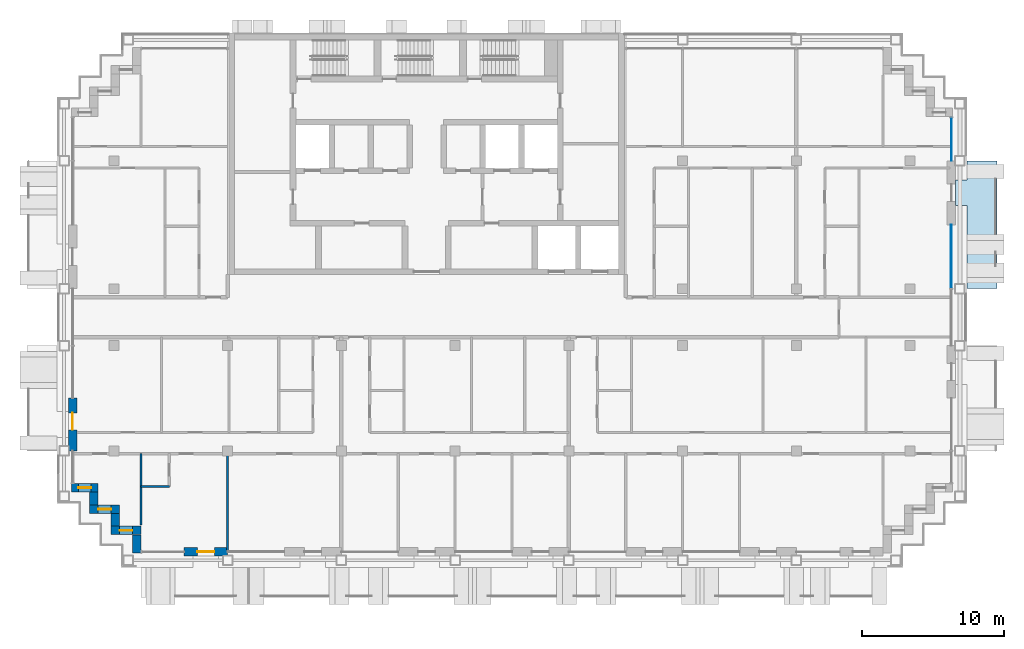
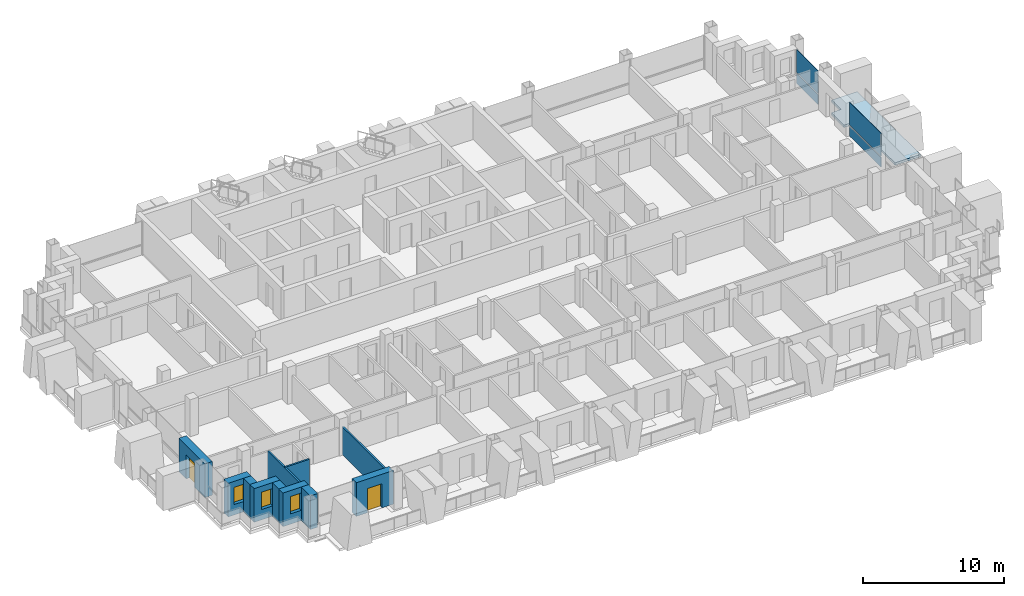
# One storey, part 7 of 16: 11 walls, 4 plates, 3 windows, 2 doors, 1 slab, 5 openings, 2 elements without a shape of their own.
"""IFC4 building model written with IfcOpenShell, lengths in metres."""

from ifc_helpers import new_model, si_unit, direction, frame, frame_2d, origin, origin_2d, place, context, subcontext, project, spatial, polyline, rectangle, outline, extrude, material, layer, layer_set, type_object, element, fill, aggregate, save


model = new_model("IFC4")

# Units and contexts
model_context = context("Model", 3, precision=1e-05, world=origin(), true_north=direction((0.0, 1.0)))
body_context = subcontext(model_context, "Body", "Model", "MODEL_VIEW")
ifc_project = project(units=[si_unit("LENGTHUNIT", "METRE"), si_unit("AREAUNIT", "SQUARE_METRE"), si_unit("VOLUMEUNIT", "CUBIC_METRE"), si_unit("PLANEANGLEUNIT", "RADIAN"), si_unit("MASSUNIT", "GRAM", prefix="KILO")], contexts=[model_context])

# Site, building, storey
site_placement = place(None, origin())
site = spatial("IfcSite", under=ifc_project, at=site_placement, CompositionType="ELEMENT")
building_placement = place(site_placement, origin())
building = spatial("IfcBuilding", under=site, at=building_placement, Name="Vidyagriha Tower", CompositionType="ELEMENT")
storey_placement = place(building_placement, frame((0.0, 0.0, 168.5)))
storey = spatial("IfcBuildingStorey", under=building, at=storey_placement, Name="L43", CompositionType="ELEMENT", Elevation=168.5)

# Curtain wall, plate
ifc_material_1 = material(Name="Aluminium and glass curtain wall", Category="aluminium")
curtain_wall_type = type_object("IfcCurtainWallType", Name="Dwelling skin unitised curtain wall", PredefinedType="USERDEFINED", material=ifc_material_1)
curtain_wall_1_placement = place(storey_placement, origin())
curtain_wall_1 = element("IfcCurtainWall", 1, at=curtain_wall_1_placement, inside=storey, type_object=curtain_wall_type, Name="CW1 dwelling skin", ObjectType="UNITISED", PredefinedType="USERDEFINED")
ifc_material_2 = material(Name="Glass dark ceramic-fritted spandrel", Category="glass")
ifc_layer_1 = layer(ifc_material_2, 0.0400390625)
ifc_layer_set_1 = layer_set([ifc_layer_1], Name="Glass dark ceramic-fritted spandrel")
plate_type_1 = type_object("IfcPlateType", Name="Ceramic-fritted spandrel panel", PredefinedType="CURTAIN_PANEL", material=ifc_layer_set_1)
plate_1_placement = place(storey_placement, frame((36.89990234375, 12.514892578125, 0.0), z_axis=(0.0, 0.0, 1.0), x_axis=(0.0, 1.0, 0.0)))
plate_1 = element("IfcPlate", 2, at=plate_1_placement, type_object=plate_type_1, Name="CW1 panel 1.1", PredefinedType="CURTAIN_PANEL", context=body_context, shape_type="SweptSolid", body=[
    extrude(rectangle(XDim=3.030029296875, YDim=0.0400390625, at=origin_2d()), origin(), (0.0, 0.0, 1.0), 0.85009765625),
])

curtain_wall_2_placement = place(storey_placement, origin())
curtain_wall_2 = element("IfcCurtainWall", 3, at=curtain_wall_2_placement, inside=storey, type_object=curtain_wall_type, Name="CW1 dwelling skin", ObjectType="UNITISED", PredefinedType="USERDEFINED")
ifc_material_3 = material(Name="Glass dark ceramic-fritted", Category="glass")
ifc_layer_2 = layer(ifc_material_3, 0.028076171875)
ifc_layer_set_2 = layer_set([ifc_layer_2], Name="Glass dark ceramic-fritted")
plate_type_2 = type_object("IfcPlateType", Name="Dark ceramic-fritted vision glass panel", PredefinedType="CURTAIN_PANEL", material=ifc_layer_set_2)
plate_2_placement = place(storey_placement, frame((36.89990234375, 4.267578125, 0.9501953125), z_axis=(0.0, 0.0, 1.0), x_axis=(0.0, 1.0, 0.0)))
plate_2 = element("IfcPlate", 4, at=plate_2_placement, type_object=plate_type_2, Name="CW1 panel 2.2", PredefinedType="CURTAIN_PANEL", context=body_context, shape_type="SweptSolid", body=[
    extrude(rectangle(XDim=4.465087890625, YDim=0.028076171875, at=origin_2d()), origin(), (0.0, 0.0, 1.0), 1.969970703125),
])

# Plate
plate_3_placement = place(storey_placement, frame((36.89990234375, 12.514892578125, 0.9501953125), z_axis=(0.0, 0.0, 1.0), x_axis=(0.0, 1.0, 0.0)))
plate_3 = element("IfcPlate", 5, at=plate_3_placement, type_object=plate_type_2, Name="CW1 panel 1.2", PredefinedType="CURTAIN_PANEL", context=body_context, shape_type="SweptSolid", body=[
    extrude(rectangle(XDim=3.030029296875, YDim=0.028076171875, at=origin_2d()), origin(), (0.0, 0.0, 1.0), 1.969970703125),
])

aggregate(curtain_wall_1, [plate_1, plate_3])

ifc_material_4 = material(Name="Aluminium black anodised", Category="aluminium")
ifc_layer_3 = layer(ifc_material_4, 0.06005859375)
ifc_layer_set_3 = layer_set([ifc_layer_3], Name="Aluminium black anodised")
plate_type_3 = type_object("IfcPlateType", Name="Operable black-metal vent panel", PredefinedType="CURTAIN_PANEL", material=ifc_layer_set_3)
plate_4_placement = place(storey_placement, frame((36.89990234375, 4.267578125, 0.0), z_axis=(0.0, 0.0, 1.0), x_axis=(0.0, 1.0, 0.0)))
plate_4 = element("IfcPlate", 6, at=plate_4_placement, type_object=plate_type_3, Name="CW1 panel 2.1", PredefinedType="CURTAIN_PANEL", context=body_context, shape_type="SweptSolid", body=[
    extrude(rectangle(XDim=4.465087890625, YDim=0.06005859375, at=origin_2d()), origin(), (0.0, 0.0, 1.0), 0.85009765625),
])

aggregate(curtain_wall_2, [plate_4, plate_2])

# Slab
ifc_material_5 = material(Name="Precast concrete C40/50", Category="concrete")
ifc_layer_4 = layer(ifc_material_5, 0.199951171875)
ifc_layer_set_4 = layer_set([ifc_layer_4], Name="Precast concrete C40/50")
slab_type = type_object("IfcSlabType", Name="Precast balcony slab 200", PredefinedType="USERDEFINED", material=ifc_layer_set_4)
slab_placement = place(storey_placement, frame((0.0, 0.0, -0.199951171875)))
element("IfcSlab", 7, at=slab_placement, inside=storey, type_object=slab_type, Name="Balcony slab L43 R30.2-2", ObjectType="BALCONY", PredefinedType="USERDEFINED", context=body_context, shape_type="SweptSolid", body=[
    extrude(outline(polyline([(38.0, 7.85009765625), (38.0, 2.0), (40.10009765625, 2.0), (40.10009765625, 11.0), (38.0, 11.0), (38.0, 9.64990234375), (37.199951171875, 9.64990234375), (37.199951171875, 7.85009765625), (38.0, 7.85009765625)])), origin(), (0.0, 0.0, 1.0), 0.199951171875),
])

# Wall, opening, door
ifc_material_6 = material(Name="Precast concrete C40/50 with brick facing", Category="concrete")
ifc_layer_5 = layer(ifc_material_6, 0.60009765625)
ifc_layer_set_5 = layer_set([ifc_layer_5], Name="Precast concrete C40/50 with brick facing")
wall_type_1 = type_object("IfcWallType", Name="Brick-faced precast wall 600", PredefinedType="STANDARD", material=ifc_layer_set_5)
wall_1_placement = place(storey_placement, frame((-24.89990234375, -5.699951171875, 0.0), z_axis=(0.0, 0.0, 1.0), x_axis=(0.0, -1.0, 0.0)))
wall_1 = element("IfcWall", 8, at=wall_1_placement, inside=storey, type_object=wall_type_1, Name="Brick door bay wall L43 R16.6", PredefinedType="STANDARD", context=body_context, shape_type="SweptSolid", body=[
    extrude(rectangle(XDim=3.699951171875, YDim=0.60009765625, at=frame_2d((1.85009765625, 0.0))), origin(), (0.0, 0.0, 1.0), 2.919921875),
])
opening_1_placement = place(wall_1_placement, frame((1.02490234375, 0.0, 0.0)))
opening_1 = element("IfcOpeningElement", 9, at=opening_1_placement, cuts=wall_1, Name="Opening D43-67", PredefinedType="OPENING", context=body_context, shape_type="SweptSolid", body=[
    extrude(rectangle(XDim=1.199951171875, YDim=2.10009765625, at=frame_2d((0.60009765625, 1.050048828125))), frame((0.0, 0.31005859375, 0.0), z_axis=(0.0, -1.0, 0.0), x_axis=(1.0, 0.0, 0.0)), (0.0, 0.0, 1.0), 0.6201171875),
])
ifc_material_7 = material(Name="Aluminium framed glazed sliding door", Category="aluminium")
door_type = type_object("IfcDoorType", Name="Balcony sliding door 1200x2100", OperationType="NOTDEFINED", PredefinedType="DOOR", material=ifc_material_7)
door_1_placement = place(opening_1_placement, origin())
door_1 = element("IfcDoor", 10, at=door_1_placement, inside=storey, type_object=door_type, Name="Door D43-67", OperationType="SLIDING_TO_LEFT", OverallHeight=2.10009765625, OverallWidth=1.199951171875, PredefinedType="DOOR", context=body_context, shape_type="SweptSolid", body=[
    extrude(rectangle(XDim=1.199951171875, YDim=2.10009765625, at=frame_2d((0.60009765625, 1.050048828125))), frame((0.0, 0.02490234375, 0.0), z_axis=(0.0, -1.0, 0.0), x_axis=(1.0, 0.0, 0.0)), (0.0, 0.0, 1.0), 0.050048828125),
])
fill(opening_1, door_1)

# Wall, opening, window
wall_2_placement = place(storey_placement, frame((-24.97998046875, -12.0, 0.0)))
wall_2 = element("IfcWall", 11, at=wall_2_placement, inside=storey, type_object=wall_type_1, Name="Stepped corner wall L43 R17", PredefinedType="STANDARD", context=body_context, shape_type="SweptSolid", body=[
    extrude(rectangle(XDim=1.8798828125, YDim=0.60009765625, at=frame_2d((0.93994140625, 0.0))), origin(), (0.0, 0.0, 1.0), 2.919921875),
])
opening_2_placement = place(wall_2_placement, frame((0.489990234375, 0.0, 0.89990234375)))
opening_2 = element("IfcOpeningElement", 12, at=opening_2_placement, cuts=wall_2, Name="Opening WN1", PredefinedType="OPENING", context=body_context, shape_type="SweptSolid", body=[
    extrude(rectangle(XDim=0.89990234375, YDim=1.5, at=frame_2d((0.449951171875, 0.75))), frame((0.0, 0.31005859375, 0.0), z_axis=(0.0, -1.0, 0.0), x_axis=(1.0, 0.0, 0.0)), (0.0, 0.0, 1.0), 0.6201171875),
])
ifc_material_8 = material(Name="Aluminium and glass window", Category="aluminium")
window_type = type_object("IfcWindowType", Name="Reveal window 900x1500", PartitioningType="NOTDEFINED", PredefinedType="WINDOW", material=ifc_material_8)
window_1_placement = place(opening_2_placement, origin())
window_1 = element("IfcWindow", 13, at=window_1_placement, inside=storey, type_object=window_type, Name="Reveal window L43 R17", OverallHeight=1.5, OverallWidth=0.89990234375, PartitioningType="SINGLE_PANEL", PredefinedType="WINDOW", context=body_context, shape_type="SweptSolid", body=[
    extrude(rectangle(XDim=0.89990234375, YDim=1.5, at=frame_2d((0.449951171875, 0.75))), frame((0.0, 0.030029296875, 0.0), z_axis=(0.0, -1.0, 0.0), x_axis=(1.0, 0.0, 0.0)), (0.0, 0.0, 1.0), 0.06005859375),
])
fill(opening_2, window_1)

# Wall
wall_3_placement = place(storey_placement, frame((-23.39990234375, -12.300048828125, 0.0), z_axis=(0.0, 0.0, 1.0), x_axis=(0.0, -1.0, 0.0)))
element("IfcWall", 14, at=wall_3_placement, inside=storey, type_object=wall_type_1, Name="Stepped corner wall L43 R18", PredefinedType="STANDARD", context=body_context, shape_type="SweptSolid", body=[
    extrude(rectangle(XDim=0.89990234375, YDim=0.60009765625, at=frame_2d((0.449951171875, 0.0))), origin(), (0.0, 0.0, 1.0), 2.919921875),
])

# Wall, opening, window
wall_4_placement = place(storey_placement, frame((-23.699951171875, -13.5, 0.0)))
wall_4 = element("IfcWall", 15, at=wall_4_placement, inside=storey, type_object=wall_type_1, Name="Stepped corner wall L43 R19", PredefinedType="STANDARD", context=body_context, shape_type="SweptSolid", body=[
    extrude(rectangle(XDim=2.099853515625, YDim=0.60009765625, at=frame_2d((1.0498046875, 0.0))), origin(), (0.0, 0.0, 1.0), 2.919921875),
])
opening_3_placement = place(wall_4_placement, frame((0.60009765625, 0.0, 0.89990234375)))
opening_3 = element("IfcOpeningElement", 16, at=opening_3_placement, cuts=wall_4, Name="Opening WN1", PredefinedType="OPENING", context=body_context, shape_type="SweptSolid", body=[
    extrude(rectangle(XDim=0.89990234375, YDim=1.5, at=frame_2d((0.449951171875, 0.75))), frame((0.0, 0.31005859375, 0.0), z_axis=(0.0, -1.0, 0.0), x_axis=(1.0, 0.0, 0.0)), (0.0, 0.0, 1.0), 0.6201171875),
])
window_2_placement = place(opening_3_placement, origin())
window_2 = element("IfcWindow", 17, at=window_2_placement, inside=storey, type_object=window_type, Name="Reveal window L43 R19", OverallHeight=1.5, OverallWidth=0.89990234375, PartitioningType="SINGLE_PANEL", PredefinedType="WINDOW", context=body_context, shape_type="SweptSolid", body=[
    extrude(rectangle(XDim=0.89990234375, YDim=1.5, at=frame_2d((0.449951171875, 0.75))), frame((0.0, 0.030029296875, 0.0), z_axis=(0.0, -1.0, 0.0), x_axis=(1.0, 0.0, 0.0)), (0.0, 0.0, 1.0), 0.06005859375),
])
fill(opening_3, window_2)

# Wall
wall_5_placement = place(storey_placement, frame((-21.89990234375, -13.800048828125, 0.0), z_axis=(0.0, 0.0, 1.0), x_axis=(0.0, -1.0, 0.0)))
element("IfcWall", 18, at=wall_5_placement, inside=storey, type_object=wall_type_1, Name="Stepped corner wall L43 R20", PredefinedType="STANDARD", context=body_context, shape_type="SweptSolid", body=[
    extrude(rectangle(XDim=0.89990234375, YDim=0.60009765625, at=frame_2d((0.449951171875, 0.0))), origin(), (0.0, 0.0, 1.0), 2.919921875),
])

# Wall, opening, window
wall_6_placement = place(storey_placement, frame((-22.199951171875, -15.0, 0.0)))
wall_6 = element("IfcWall", 19, at=wall_6_placement, inside=storey, type_object=wall_type_1, Name="Stepped corner wall L43 R21", PredefinedType="STANDARD", context=body_context, shape_type="SweptSolid", body=[
    extrude(rectangle(XDim=2.099853515625, YDim=0.60009765625, at=frame_2d((1.0498046875, 0.0))), origin(), (0.0, 0.0, 1.0), 2.919921875),
])
opening_4_placement = place(wall_6_placement, frame((0.60009765625, 0.0, 0.89990234375)))
opening_4 = element("IfcOpeningElement", 20, at=opening_4_placement, cuts=wall_6, Name="Opening WN1", PredefinedType="OPENING", context=body_context, shape_type="SweptSolid", body=[
    extrude(rectangle(XDim=0.89990234375, YDim=1.5, at=frame_2d((0.449951171875, 0.75))), frame((0.0, 0.31005859375, 0.0), z_axis=(0.0, -1.0, 0.0), x_axis=(1.0, 0.0, 0.0)), (0.0, 0.0, 1.0), 0.6201171875),
])
window_3_placement = place(opening_4_placement, origin())
window_3 = element("IfcWindow", 21, at=window_3_placement, inside=storey, type_object=window_type, Name="Reveal window L43 R21", OverallHeight=1.5, OverallWidth=0.89990234375, PartitioningType="SINGLE_PANEL", PredefinedType="WINDOW", context=body_context, shape_type="SweptSolid", body=[
    extrude(rectangle(XDim=0.89990234375, YDim=1.5, at=frame_2d((0.449951171875, 0.75))), frame((0.0, 0.030029296875, 0.0), z_axis=(0.0, -1.0, 0.0), x_axis=(1.0, 0.0, 0.0)), (0.0, 0.0, 1.0), 0.06005859375),
])
fill(opening_4, window_3)

# Wall
wall_7_placement = place(storey_placement, frame((-20.39990234375, -15.300048828125, 0.0), z_axis=(0.0, 0.0, 1.0), x_axis=(0.0, -1.0, 0.0)))
element("IfcWall", 22, at=wall_7_placement, inside=storey, type_object=wall_type_1, Name="Stepped corner wall L43 R22", PredefinedType="STANDARD", context=body_context, shape_type="SweptSolid", body=[
    extrude(rectangle(XDim=1.280029296875, YDim=0.60009765625, at=frame_2d((0.64013671875, 0.0))), origin(), (0.0, 0.0, 1.0), 2.919921875),
])

# Wall, opening, door
wall_8_placement = place(storey_placement, frame((-17.050048828125, -16.5, 0.0)))
wall_8 = element("IfcWall", 23, at=wall_8_placement, inside=storey, type_object=wall_type_1, Name="Brick door bay wall L43 R23.2", PredefinedType="STANDARD", context=body_context, shape_type="SweptSolid", body=[
    extrude(rectangle(XDim=3.050048828125, YDim=0.60009765625, at=frame_2d((1.52490234375, 0.0))), origin(), (0.0, 0.0, 1.0), 2.919921875),
])
opening_5_placement = place(wall_8_placement, frame((0.925048828125, 0.0, 0.0)))
opening_5 = element("IfcOpeningElement", 24, at=opening_5_placement, cuts=wall_8, Name="Opening D43-68", PredefinedType="OPENING", context=body_context, shape_type="SweptSolid", body=[
    extrude(rectangle(XDim=1.199951171875, YDim=2.10009765625, at=frame_2d((0.60009765625, 1.050048828125))), frame((0.0, 0.31005859375, 0.0), z_axis=(0.0, -1.0, 0.0), x_axis=(1.0, 0.0, 0.0)), (0.0, 0.0, 1.0), 0.6201171875),
])
door_2_placement = place(opening_5_placement, origin())
door_2 = element("IfcDoor", 25, at=door_2_placement, inside=storey, type_object=door_type, Name="Door D43-68", OperationType="SLIDING_TO_LEFT", OverallHeight=2.10009765625, OverallWidth=1.199951171875, PredefinedType="DOOR", context=body_context, shape_type="SweptSolid", body=[
    extrude(rectangle(XDim=1.199951171875, YDim=2.10009765625, at=frame_2d((0.60009765625, 1.050048828125))), frame((0.0, 0.02490234375, 0.0), z_axis=(0.0, -1.0, 0.0), x_axis=(1.0, 0.0, 0.0)), (0.0, 0.0, 1.0), 0.050048828125),
])
fill(opening_5, door_2)

# Walls
ifc_material_9 = material(Name="Gypsum board partition")
ifc_layer_6 = layer(ifc_material_9, 0.14990234375)
ifc_layer_set_6 = layer_set([ifc_layer_6], Name="Gypsum board partition")
wall_type_2 = type_object("IfcWallType", Name="Gypsum board partition 150", PredefinedType="PARTITIONING", material=ifc_layer_set_6)
wall_9_placement = place(storey_placement, frame((-20.10009765625, -9.60009765625, 0.0), z_axis=(0.0, 0.0, 1.0), x_axis=(0.0, -1.0, 0.0)))
element("IfcWall", 26, at=wall_9_placement, inside=storey, type_object=wall_type_2, Name="Wall all-L43-w016", PredefinedType="PARTITIONING", context=body_context, shape_type="SweptSolid", body=[
    extrude(rectangle(XDim=5.02001953125, YDim=0.14990234375, at=frame_2d((2.510009765625, 0.0))), origin(), (0.0, 0.0, 1.0), 2.39990234375),
])
wall_10_placement = place(storey_placement, frame((-14.0, -9.60009765625, 0.0), z_axis=(0.0, 0.0, 1.0), x_axis=(0.0, -1.0, 0.0)))
element("IfcWall", 27, at=wall_10_placement, inside=storey, type_object=wall_type_2, Name="Wall all-L43-w017", PredefinedType="PARTITIONING", context=body_context, shape_type="SweptSolid", body=[
    extrude(rectangle(XDim=6.809814453125, YDim=0.14990234375, at=frame_2d((3.40478515625, 0.0))), origin(), (0.0, 0.0, 1.0), 2.39990234375),
])
wall_11_placement = place(storey_placement, frame((-18.10009765625, -11.89990234375, 0.0), z_axis=(0.0, 0.0, 1.0), x_axis=(-1.0, 0.0, 0.0)))
element("IfcWall", 28, at=wall_11_placement, inside=storey, type_object=wall_type_2, Name="Wall all-L43-w019", PredefinedType="PARTITIONING", context=body_context, shape_type="SweptSolid", body=[
    extrude(rectangle(XDim=2.0, YDim=0.14990234375, at=frame_2d((1.0, 0.0))), origin(), (0.0, 0.0, 1.0), 2.39990234375),
])

save(model, "model.ifc")
